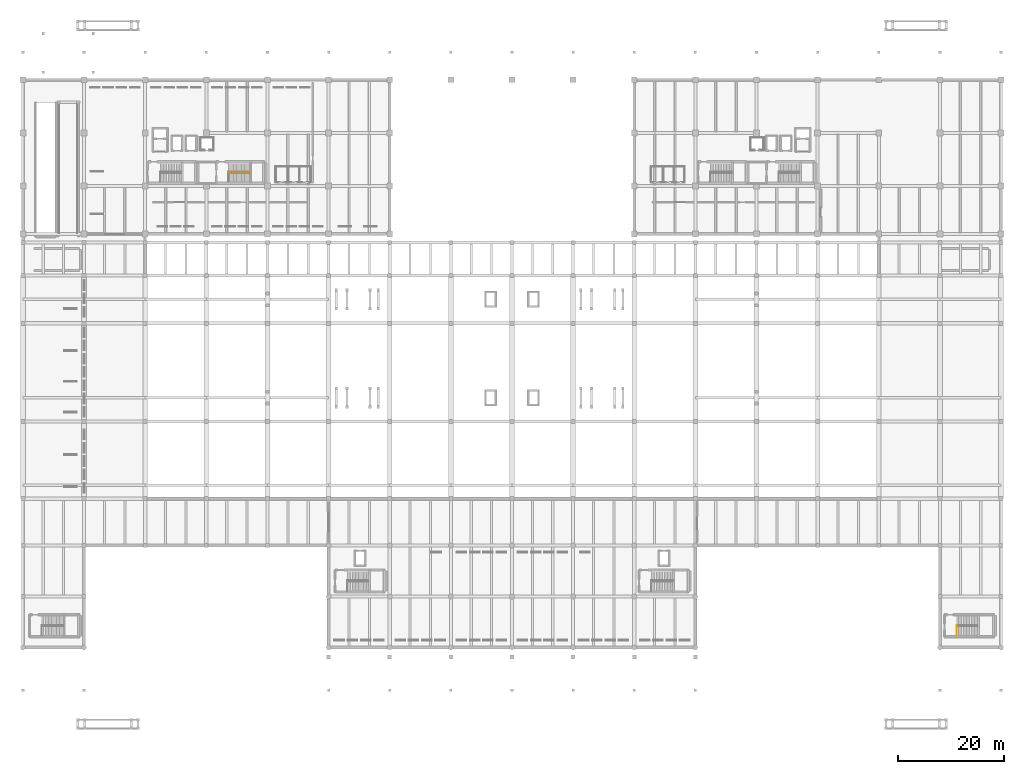
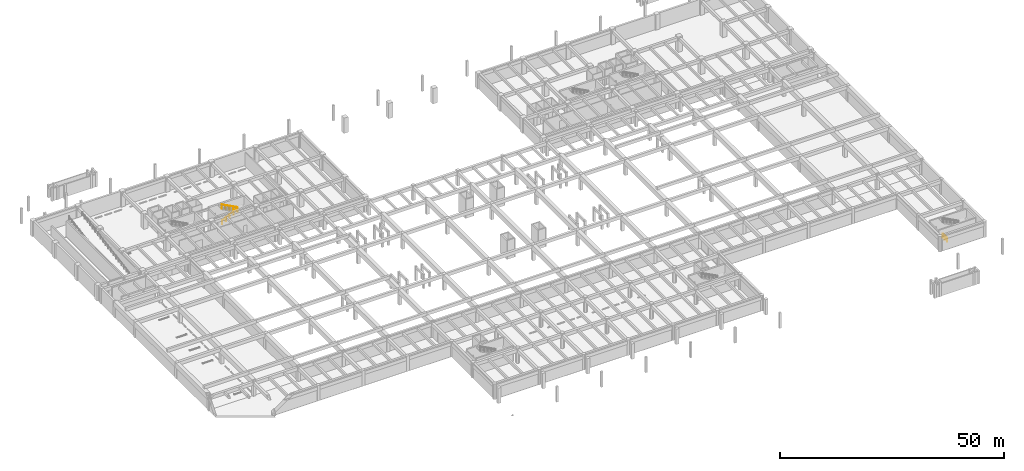
# One storey, part 19 of 20: 2 railings.
"""IFC4 building model written with IfcOpenShell, lengths in metres."""

from ifc_helpers import new_model, si_unit, direction, frame, origin, origin_2d, place, context, subcontext, project, spatial, circle, extrude, material, type_object, element, save


model = new_model("IFC4")

# Units and contexts
model_context = context("Model", 3, precision=1e-05, world=origin(), true_north=direction((0.0, 1.0)))
body_context = subcontext(model_context, "Body", "Model", "MODEL_VIEW")
ifc_project = project(units=[si_unit("LENGTHUNIT", "METRE"), si_unit("AREAUNIT", "SQUARE_METRE"), si_unit("VOLUMEUNIT", "CUBIC_METRE"), si_unit("PLANEANGLEUNIT", "RADIAN"), si_unit("MASSUNIT", "GRAM", prefix="KILO")], contexts=[model_context])

# Site, building, storey
site_placement = place(None, origin())
site = spatial("IfcSite", under=ifc_project, at=site_placement, CompositionType="ELEMENT")
building_placement = place(site_placement, origin())
building = spatial("IfcBuilding", under=site, at=building_placement, Name="Ologun Quay Terminus", CompositionType="ELEMENT")
storey_placement = place(building_placement, frame((0.0, 0.0, -4.199951171875)))
storey = spatial("IfcBuildingStorey", under=building, at=storey_placement, Name="B01", CompositionType="ELEMENT", Elevation=-4.199951171875)

# Railings
ifc_material = material(Name="Steel S355", Category="steel")
railing_type = type_object("IfcRailingType", Name="Stair & Landing Steel Guardrail 1100", PredefinedType="GUARDRAIL", material=ifc_material)
railing_1_placement = place(storey_placement, frame((38.699951171875, 97.25, 0.0)))
element("IfcRailing", 1, at=railing_1_placement, inside=storey, type_object=railing_type, Name="GR-ST Stair Inner Well Guard ST-W2 B01", PredefinedType="GUARDRAIL", context=body_context, shape_type="SweptSolid", body=[
    extrude(circle(Radius=0.02392578125, at=origin_2d()), frame((0.0, 0.0, 1.076171875), z_axis=(0.881990178689, 0.0, 0.471267784488), x_axis=(0.0, 1.0, 0.0)), (0.0, 0.0, 1.0), 4.455810546875),
    extrude(circle(Radius=0.02392578125, at=origin_2d()), frame((3.929931640625, 0.0, 3.17578125), z_axis=(0.0, 1.0, 0.0), x_axis=(-1.0, 0.0, 0.0)), (0.0, 0.0, 1.0), 0.199951171875),
    extrude(circle(Radius=0.02392578125, at=origin_2d()), frame((3.929931640625, 0.199951171875, 3.17578125), z_axis=(-0.881967403671, 0.0, 0.471310406062), x_axis=(0.0, -1.0, 0.0)), (0.0, 0.0, 1.0), 4.455810546875),
    extrude(circle(Radius=0.02099609375, at=origin_2d()), origin(), (0.0, 0.0, 1.0), 1.052001953125),
    extrude(circle(Radius=0.02099609375, at=origin_2d()), frame((0.982421875, 0.0, 0.52490234375)), (0.0, 0.0, 1.0), 1.052001953125),
    extrude(circle(Radius=0.02099609375, at=origin_2d()), frame((1.96484375, 0.0, 1.0498046875)), (0.0, 0.0, 1.0), 1.052001953125),
    extrude(circle(Radius=0.02099609375, at=origin_2d()), frame((2.947509765625, 0.0, 1.574951171875)), (0.0, 0.0, 1.0), 1.052001953125),
    extrude(circle(Radius=0.02099609375, at=origin_2d()), frame((3.929931640625, 0.0, 2.099853515625)), (0.0, 0.0, 1.0), 1.052001953125),
    extrude(circle(Radius=0.02099609375, at=origin_2d()), frame((3.929931640625, 0.199951171875, 2.099853515625)), (0.0, 0.0, 1.0), 1.052001953125),
    extrude(circle(Radius=0.02099609375, at=origin_2d()), frame((2.947509765625, 0.199951171875, 2.625)), (0.0, 0.0, 1.0), 1.052001953125),
    extrude(circle(Radius=0.02099609375, at=origin_2d()), frame((1.96484375, 0.199951171875, 3.14990234375)), (0.0, 0.0, 1.0), 1.052001953125),
    extrude(circle(Radius=0.02099609375, at=origin_2d()), frame((0.982421875, 0.199951171875, 3.6748046875)), (0.0, 0.0, 1.0), 1.052001953125),
    extrude(circle(Radius=0.02099609375, at=origin_2d()), frame((0.0, 0.199951171875, 4.199951171875)), (0.0, 0.0, 1.0), 1.052001953125),
])
railing_2_placement = place(storey_placement, frame((175.659912109375, 12.18994140625, 0.0)))
element("IfcRailing", 2, at=railing_2_placement, inside=storey, type_object=railing_type, Name="GR-ST Stair Floor Edge Guard ST-S2 B01", PredefinedType="GUARDRAIL", context=body_context, shape_type="SweptSolid", body=[
    extrude(circle(Radius=0.02392578125, at=origin_2d()), frame((0.0, 0.0, 1.076171875), z_axis=(0.0, -1.0, 0.0), x_axis=(1.0, 0.0, 0.0)), (0.0, 0.0, 1.0), 1.929931640625),
    extrude(circle(Radius=0.02099609375, at=origin_2d()), origin(), (0.0, 0.0, 1.0), 1.052001953125),
    extrude(circle(Radius=0.02099609375, at=origin_2d()), frame((0.0, -0.96484375, 0.0)), (0.0, 0.0, 1.0), 1.052001953125),
    extrude(circle(Radius=0.02099609375, at=origin_2d()), frame((0.0, -1.929931640625, 0.0)), (0.0, 0.0, 1.0), 1.052001953125),
])

save(model, "model.ifc")
